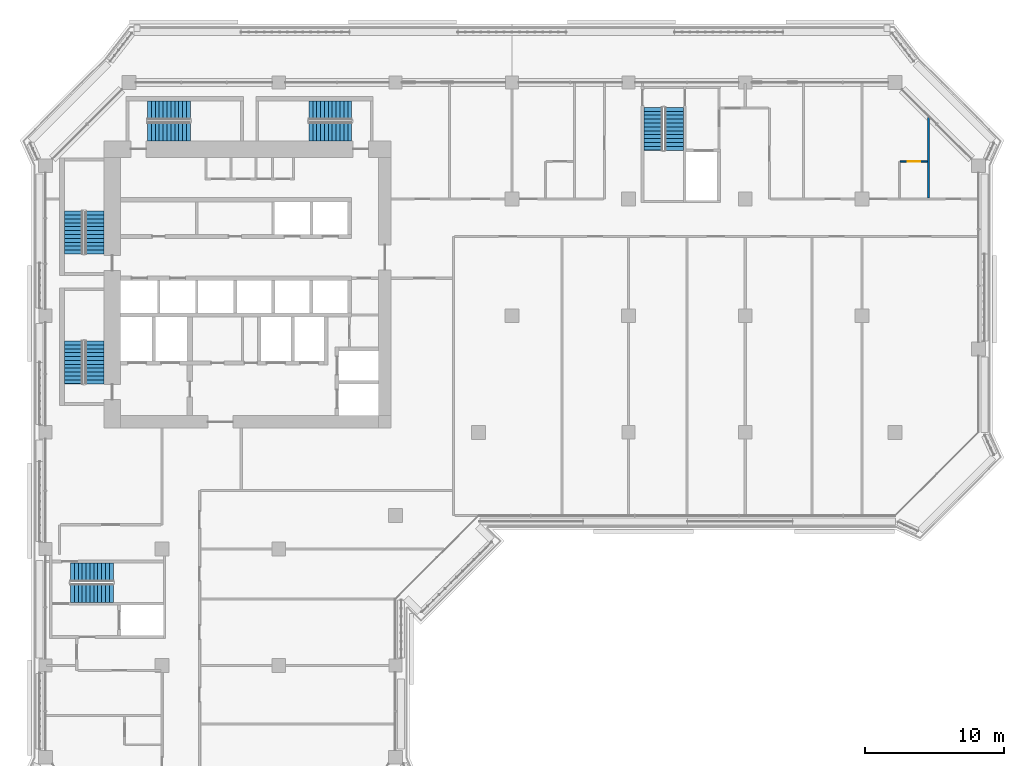
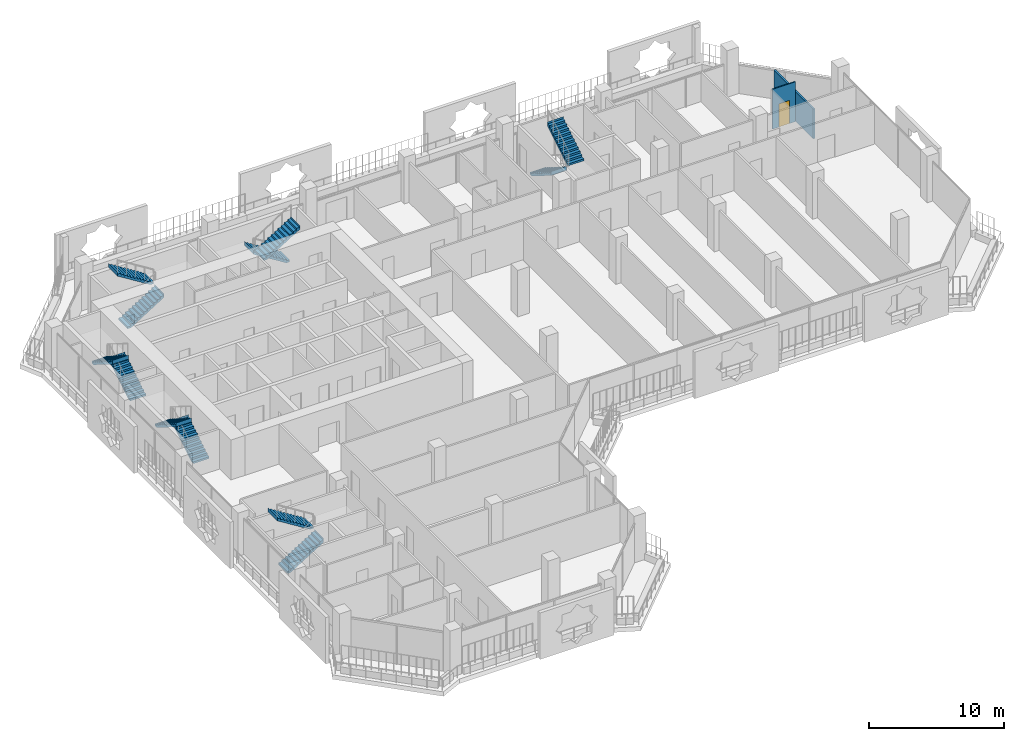
# One storey, part 14 of 21: 12 stair flights, 2 walls, 1 door, 1 opening, 6 elements without a shape of their own.
"""IFC4 building model written with IfcOpenShell, lengths in metres."""

from ifc_helpers import new_model, si_unit, direction, frame, frame_2d, origin, place, context, subcontext, project, spatial, polyline, rectangle, outline, extrude, material, layer, layer_set, type_object, element, fill, aggregate, save


model = new_model("IFC4")

# Units and contexts
model_context = context("Model", 3, precision=1e-05, world=origin(), true_north=direction((0.0, 1.0)))
body_context = subcontext(model_context, "Body", "Model", "MODEL_VIEW")
ifc_project = project(units=[si_unit("LENGTHUNIT", "METRE"), si_unit("AREAUNIT", "SQUARE_METRE"), si_unit("VOLUMEUNIT", "CUBIC_METRE"), si_unit("PLANEANGLEUNIT", "RADIAN"), si_unit("MASSUNIT", "GRAM", prefix="KILO")], contexts=[model_context])

# Site, building, storey
site_placement = place(None, origin())
site = spatial("IfcSite", under=ifc_project, at=site_placement, CompositionType="ELEMENT")
building_placement = place(site_placement, origin())
building = spatial("IfcBuilding", under=site, at=building_placement, Name="Kawkab Arch Medical Tower", CompositionType="ELEMENT")
storey_placement = place(building_placement, frame((0.0, 0.0, 200.39990234375)))
storey = spatial("IfcBuildingStorey", under=building, at=storey_placement, Name="L46", CompositionType="ELEMENT", Elevation=200.39990234375)

# Wall, opening, door
ifc_material_1 = material(Name="Gypsum board partition on steel studs", Category="steel")
ifc_layer_1 = layer(ifc_material_1, 0.10009765625)
ifc_layer_set_1 = layer_set([ifc_layer_1], Name="Gypsum board partition on steel studs")
wall_type_1 = type_object("IfcWallType", Name="Partition 100", PredefinedType="PARTITIONING", material=ifc_layer_set_1)
wall_1_placement = place(storey_placement, frame((61.550048828125, -5.699951171875, 0.0), z_axis=(0.0, 0.0, 1.0), x_axis=(1.0, 0.0, 0.0)))
wall_1 = element("IfcWall", 1, at=wall_1_placement, inside=storey, type_object=wall_type_1, Name="Partition 100 w003", PredefinedType="PARTITIONING", context=body_context, shape_type="SweptSolid", body=[
    extrude(rectangle(XDim=1.974853515625, YDim=0.10009765625, at=frame_2d((0.9873046875, 0.0))), origin(), (0.0, 0.0, 1.0), 3.60009765625),
])
opening_placement = place(wall_1_placement, frame((0.550048828125, 0.0, 0.0)))
opening = element("IfcOpeningElement", 2, at=opening_placement, cuts=wall_1, Name="Opening W41-005", PredefinedType="OPENING", context=body_context, shape_type="SweptSolid", body=[
    extrude(rectangle(XDim=0.89990234375, YDim=2.10009765625, at=frame_2d((0.449951171875, 1.050048828125))), frame((0.0, 0.06005859375, 0.0), z_axis=(0.0, -1.0, 0.0), x_axis=(1.0, 0.0, 0.0)), (0.0, 0.0, 1.0), 0.1201171875),
])
ifc_material_2 = material(Name="Timber door leaf", Category="wood")
door_type = type_object("IfcDoorType", Name="Single door 900x2100", OperationType="NOTDEFINED", PredefinedType="DOOR", material=ifc_material_2)
door_placement = place(opening_placement, origin())
door = element("IfcDoor", 3, at=door_placement, inside=storey, type_object=door_type, Name="Door W41-005", OperationType="SINGLE_SWING_LEFT", OverallHeight=2.10009765625, OverallWidth=0.89990234375, PredefinedType="DOOR", context=body_context, shape_type="SweptSolid", body=[
    extrude(rectangle(XDim=0.89990234375, YDim=2.10009765625, at=frame_2d((0.449951171875, 1.050048828125))), frame((0.0, 0.02490234375, 0.0), z_axis=(0.0, -1.0, 0.0), x_axis=(1.0, 0.0, 0.0)), (0.0, 0.0, 1.0), 0.050048828125),
])
fill(opening, door)

# Wall
ifc_material_3 = material(Name="Gypsum board partition on steel studs, mineral wool", Category="steel")
ifc_layer_2 = layer(ifc_material_3, 0.14990234375)
ifc_layer_set_2 = layer_set([ifc_layer_2], Name="Gypsum board partition on steel studs, mineral wool")
wall_type_2 = type_object("IfcWallType", Name="Partition 150", PredefinedType="PARTITIONING", material=ifc_layer_set_2)
wall_2_placement = place(storey_placement, frame((63.60009765625, -8.324951171875, 0.0), z_axis=(0.0, 0.0, 1.0), x_axis=(0.0, 1.0, 0.0)))
element("IfcWall", 4, at=wall_2_placement, inside=storey, type_object=wall_type_2, Name="Partition 150 w048", PredefinedType="PARTITIONING", context=body_context, shape_type="SweptSolid", body=[
    extrude(rectangle(XDim=5.81201171875, YDim=0.14990234375, at=frame_2d((2.906005859375, 0.0))), origin(), (0.0, 0.0, 1.0), 2.7001953125),
])

# Stair, stair flights
ifc_material_4 = material(Name="Concrete C40/50", Category="concrete")
stair_type = type_object("IfcStairType", Name="Exit stair 1350", PredefinedType="HALF_TURN_STAIR", material=ifc_material_4)
placement = place(storey_placement, origin())
stair_1 = element("IfcStair", 5, at=placement, inside=storey, type_object=stair_type, Name="L46 Exit stair ST1", PredefinedType="HALF_TURN_STAIR")
ifc_material_5 = material(Name="Concrete C40/50", Category="concrete")
stair_flight_type = type_object("IfcStairFlightType", Name="Exit stair flight 1350", PredefinedType="STRAIGHT", material=ifc_material_5)
stair_flight_1_placement = place(storey_placement, frame((3.52490234375, -12.35009765625, 0.0), z_axis=(0.0, 0.0, 1.0), x_axis=(0.0, 1.0, 0.0)))
stair_flight_1 = element("IfcStairFlight", 6, at=stair_flight_1_placement, type_object=stair_flight_type, Name="ST1 flight 1", NumberOfRisers=12, NumberOfTreads=11, PredefinedType="STRAIGHT", RiserHeight=0.175, TreadLength=0.28, context=body_context, shape_type="SweptSolid", body=[
    extrude(outline(polyline([(-0.0029296875, 0.0), (-0.0029296875, 0.175048828125), (0.0, 0.175048828125), (0.280029296875, 0.175048828125), (0.280029296875, 0.35009765625), (0.56005859375, 0.35009765625), (0.56005859375, 0.52490234375), (0.840087890625, 0.52490234375), (0.840087890625, 0.699951171875), (1.1201171875, 0.699951171875), (1.1201171875, 0.875), (1.39990234375, 0.875), (1.39990234375, 1.050048828125), (1.679931640625, 1.050048828125), (1.679931640625, 1.22509765625), (1.9599609375, 1.22509765625), (1.9599609375, 1.39990234375), (2.239990234375, 1.39990234375), (2.239990234375, 1.574951171875), (2.52001953125, 1.574951171875), (2.52001953125, 1.75), (2.800048828125, 1.75), (2.800048828125, 1.925048828125), (3.080078125, 1.925048828125), (3.080078125, 2.10009765625), (3.0830078125, 2.10009765625), (3.0830078125, 1.748291015625), (3.080078125, 1.748291015625), (0.28271484375, 0.0), (-0.0029296875, 0.0)])), frame((0.0, 0.675048828125, 0.0), z_axis=(0.0, -1.0, 0.0), x_axis=(1.0, 0.0, 0.0)), (0.0, 0.0, 1.0), 1.35009765625),
])
stair_flight_2_placement = place(storey_placement, frame((2.02490234375, -9.27001953125, 2.10009765625), z_axis=(0.0, 0.0, 1.0), x_axis=(0.0, -1.0, 0.0)))
stair_flight_2 = element("IfcStairFlight", 7, at=stair_flight_2_placement, type_object=stair_flight_type, Name="ST1 flight 2", NumberOfRisers=12, NumberOfTreads=11, PredefinedType="STRAIGHT", RiserHeight=0.175, TreadLength=0.28, context=body_context, shape_type="SweptSolid", body=[
    extrude(outline(polyline([(-0.0029296875, 0.0), (-0.0029296875, 0.175048828125), (0.0, 0.175048828125), (0.280029296875, 0.175048828125), (0.280029296875, 0.35009765625), (0.56005859375, 0.35009765625), (0.56005859375, 0.52490234375), (0.840087890625, 0.52490234375), (0.840087890625, 0.699951171875), (1.1201171875, 0.699951171875), (1.1201171875, 0.875), (1.39990234375, 0.875), (1.39990234375, 1.050048828125), (1.679931640625, 1.050048828125), (1.679931640625, 1.22509765625), (1.9599609375, 1.22509765625), (1.9599609375, 1.39990234375), (2.239990234375, 1.39990234375), (2.239990234375, 1.574951171875), (2.52001953125, 1.574951171875), (2.52001953125, 1.75), (2.800048828125, 1.75), (2.800048828125, 1.925048828125), (3.080078125, 1.925048828125), (3.080078125, 2.10009765625), (3.0830078125, 2.10009765625), (3.0830078125, 1.748291015625), (3.080078125, 1.748291015625), (0.28271484375, 0.0), (-0.0029296875, 0.0)])), frame((0.0, 0.675048828125, 0.0), z_axis=(0.0, -1.0, 0.0), x_axis=(1.0, 0.0, 0.0)), (0.0, 0.0, 1.0), 1.35009765625),
])
aggregate(stair_1, [stair_flight_1, stair_flight_2])

stair_2 = element("IfcStair", 8, at=placement, inside=storey, type_object=stair_type, Name="L46 Exit stair ST2", PredefinedType="HALF_TURN_STAIR")
stair_flight_3_placement = place(storey_placement, frame((3.52490234375, -21.699951171875, 0.0), z_axis=(0.0, 0.0, 1.0), x_axis=(0.0, 1.0, 0.0)))
stair_flight_3 = element("IfcStairFlight", 9, at=stair_flight_3_placement, type_object=stair_flight_type, Name="ST2 flight 1", NumberOfRisers=12, NumberOfTreads=11, PredefinedType="STRAIGHT", RiserHeight=0.175, TreadLength=0.28, context=body_context, shape_type="SweptSolid", body=[
    extrude(outline(polyline([(-0.0029296875, 0.0), (-0.0029296875, 0.175048828125), (0.0, 0.175048828125), (0.280029296875, 0.175048828125), (0.280029296875, 0.35009765625), (0.56005859375, 0.35009765625), (0.56005859375, 0.52490234375), (0.840087890625, 0.52490234375), (0.840087890625, 0.699951171875), (1.1201171875, 0.699951171875), (1.1201171875, 0.875), (1.39990234375, 0.875), (1.39990234375, 1.050048828125), (1.679931640625, 1.050048828125), (1.679931640625, 1.22509765625), (1.9599609375, 1.22509765625), (1.9599609375, 1.39990234375), (2.239990234375, 1.39990234375), (2.239990234375, 1.574951171875), (2.52001953125, 1.574951171875), (2.52001953125, 1.75), (2.800048828125, 1.75), (2.800048828125, 1.925048828125), (3.080078125, 1.925048828125), (3.080078125, 2.10009765625), (3.0830078125, 2.10009765625), (3.0830078125, 1.748291015625), (3.080078125, 1.748291015625), (0.28271484375, 0.0), (-0.0029296875, 0.0)])), frame((0.0, 0.675048828125, 0.0), z_axis=(0.0, -1.0, 0.0), x_axis=(1.0, 0.0, 0.0)), (0.0, 0.0, 1.0), 1.35009765625),
])
stair_flight_4_placement = place(storey_placement, frame((2.02490234375, -18.6201171875, 2.10009765625), z_axis=(0.0, 0.0, 1.0), x_axis=(0.0, -1.0, 0.0)))
stair_flight_4 = element("IfcStairFlight", 10, at=stair_flight_4_placement, type_object=stair_flight_type, Name="ST2 flight 2", NumberOfRisers=12, NumberOfTreads=11, PredefinedType="STRAIGHT", RiserHeight=0.175, TreadLength=0.28, context=body_context, shape_type="SweptSolid", body=[
    extrude(outline(polyline([(-0.0029296875, 0.0), (-0.0029296875, 0.175048828125), (0.0, 0.175048828125), (0.280029296875, 0.175048828125), (0.280029296875, 0.35009765625), (0.56005859375, 0.35009765625), (0.56005859375, 0.52490234375), (0.840087890625, 0.52490234375), (0.840087890625, 0.699951171875), (1.1201171875, 0.699951171875), (1.1201171875, 0.875), (1.39990234375, 0.875), (1.39990234375, 1.050048828125), (1.679931640625, 1.050048828125), (1.679931640625, 1.22509765625), (1.9599609375, 1.22509765625), (1.9599609375, 1.39990234375), (2.239990234375, 1.39990234375), (2.239990234375, 1.574951171875), (2.52001953125, 1.574951171875), (2.52001953125, 1.75), (2.800048828125, 1.75), (2.800048828125, 1.925048828125), (3.080078125, 1.925048828125), (3.080078125, 2.10009765625), (3.0830078125, 2.10009765625), (3.0830078125, 1.748291015625), (3.080078125, 1.748291015625), (0.28271484375, 0.0), (-0.0029296875, 0.0)])), frame((0.0, 0.675048828125, 0.0), z_axis=(0.0, -1.0, 0.0), x_axis=(1.0, 0.0, 0.0)), (0.0, 0.0, 1.0), 1.35009765625),
])
aggregate(stair_2, [stair_flight_3, stair_flight_4])

stair_3 = element("IfcStair", 11, at=placement, inside=storey, type_object=stair_type, Name="L46 Exit stair ST3", PredefinedType="HALF_TURN_STAIR")
stair_flight_5_placement = place(storey_placement, frame((7.35009765625, -3.52490234375, 0.0), z_axis=(0.0, 0.0, 1.0), x_axis=(1.0, 0.0, 0.0)))
stair_flight_5 = element("IfcStairFlight", 12, at=stair_flight_5_placement, type_object=stair_flight_type, Name="ST3 flight 1", NumberOfRisers=12, NumberOfTreads=11, PredefinedType="STRAIGHT", RiserHeight=0.175, TreadLength=0.28, context=body_context, shape_type="SweptSolid", body=[
    extrude(outline(polyline([(-0.0029296875, 0.0), (-0.0029296875, 0.175048828125), (0.0, 0.175048828125), (0.280029296875, 0.175048828125), (0.280029296875, 0.35009765625), (0.56005859375, 0.35009765625), (0.56005859375, 0.52490234375), (0.840087890625, 0.52490234375), (0.840087890625, 0.699951171875), (1.1201171875, 0.699951171875), (1.1201171875, 0.875), (1.39990234375, 0.875), (1.39990234375, 1.050048828125), (1.679931640625, 1.050048828125), (1.679931640625, 1.22509765625), (1.9599609375, 1.22509765625), (1.9599609375, 1.39990234375), (2.239990234375, 1.39990234375), (2.239990234375, 1.574951171875), (2.52001953125, 1.574951171875), (2.52001953125, 1.75), (2.800048828125, 1.75), (2.800048828125, 1.925048828125), (3.080078125, 1.925048828125), (3.080078125, 2.10009765625), (3.0830078125, 2.10009765625), (3.0830078125, 1.748291015625), (3.080078125, 1.748291015625), (0.28271484375, 0.0), (-0.0029296875, 0.0)])), frame((0.0, 0.675048828125, 0.0), z_axis=(0.0, -1.0, 0.0), x_axis=(1.0, 0.0, 0.0)), (0.0, 0.0, 1.0), 1.35009765625),
])
stair_flight_6_placement = place(storey_placement, frame((10.429931640625, -2.02490234375, 2.10009765625), z_axis=(0.0, 0.0, 1.0), x_axis=(-1.0, 0.0, 0.0)))
stair_flight_6 = element("IfcStairFlight", 13, at=stair_flight_6_placement, type_object=stair_flight_type, Name="ST3 flight 2", NumberOfRisers=12, NumberOfTreads=11, PredefinedType="STRAIGHT", RiserHeight=0.175, TreadLength=0.28, context=body_context, shape_type="SweptSolid", body=[
    extrude(outline(polyline([(-0.0029296875, 0.0), (-0.0029296875, 0.175048828125), (0.0, 0.175048828125), (0.280029296875, 0.175048828125), (0.280029296875, 0.35009765625), (0.56005859375, 0.35009765625), (0.56005859375, 0.52490234375), (0.840087890625, 0.52490234375), (0.840087890625, 0.699951171875), (1.1201171875, 0.699951171875), (1.1201171875, 0.875), (1.39990234375, 0.875), (1.39990234375, 1.050048828125), (1.679931640625, 1.050048828125), (1.679931640625, 1.22509765625), (1.9599609375, 1.22509765625), (1.9599609375, 1.39990234375), (2.239990234375, 1.39990234375), (2.239990234375, 1.574951171875), (2.52001953125, 1.574951171875), (2.52001953125, 1.75), (2.800048828125, 1.75), (2.800048828125, 1.925048828125), (3.080078125, 1.925048828125), (3.080078125, 2.10009765625), (3.0830078125, 2.10009765625), (3.0830078125, 1.748291015625), (3.080078125, 1.748291015625), (0.28271484375, 0.0), (-0.0029296875, 0.0)])), frame((0.0, 0.675048828125, 0.0), z_axis=(0.0, -1.0, 0.0), x_axis=(1.0, 0.0, 0.0)), (0.0, 0.0, 1.0), 1.35009765625),
])
aggregate(stair_3, [stair_flight_5, stair_flight_6])

stair_4 = element("IfcStair", 14, at=placement, inside=storey, type_object=stair_type, Name="L46 Exit stair ST4", PredefinedType="HALF_TURN_STAIR")
stair_flight_7_placement = place(storey_placement, frame((22.050048828125, -2.02490234375, 0.0), z_axis=(0.0, 0.0, 1.0), x_axis=(-1.0, 0.0, 0.0)))
stair_flight_7 = element("IfcStairFlight", 15, at=stair_flight_7_placement, type_object=stair_flight_type, Name="ST4 flight 1", NumberOfRisers=12, NumberOfTreads=11, PredefinedType="STRAIGHT", RiserHeight=0.175, TreadLength=0.28, context=body_context, shape_type="SweptSolid", body=[
    extrude(outline(polyline([(-0.0029296875, 0.0), (-0.0029296875, 0.175048828125), (0.0, 0.175048828125), (0.280029296875, 0.175048828125), (0.280029296875, 0.35009765625), (0.56005859375, 0.35009765625), (0.56005859375, 0.52490234375), (0.840087890625, 0.52490234375), (0.840087890625, 0.699951171875), (1.1201171875, 0.699951171875), (1.1201171875, 0.875), (1.39990234375, 0.875), (1.39990234375, 1.050048828125), (1.679931640625, 1.050048828125), (1.679931640625, 1.22509765625), (1.9599609375, 1.22509765625), (1.9599609375, 1.39990234375), (2.239990234375, 1.39990234375), (2.239990234375, 1.574951171875), (2.52001953125, 1.574951171875), (2.52001953125, 1.75), (2.800048828125, 1.75), (2.800048828125, 1.925048828125), (3.080078125, 1.925048828125), (3.080078125, 2.10009765625), (3.0830078125, 2.10009765625), (3.0830078125, 1.748291015625), (3.080078125, 1.748291015625), (0.28271484375, 0.0), (-0.0029296875, 0.0)])), frame((0.0, 0.675048828125, 0.0), z_axis=(0.0, -1.0, 0.0), x_axis=(1.0, 0.0, 0.0)), (0.0, 0.0, 1.0), 1.35009765625),
])
stair_flight_8_placement = place(storey_placement, frame((18.969970703125, -3.52490234375, 2.10009765625), z_axis=(0.0, 0.0, 1.0), x_axis=(1.0, 0.0, 0.0)))
stair_flight_8 = element("IfcStairFlight", 16, at=stair_flight_8_placement, type_object=stair_flight_type, Name="ST4 flight 2", NumberOfRisers=12, NumberOfTreads=11, PredefinedType="STRAIGHT", RiserHeight=0.175, TreadLength=0.28, context=body_context, shape_type="SweptSolid", body=[
    extrude(outline(polyline([(-0.0029296875, 0.0), (-0.0029296875, 0.175048828125), (0.0, 0.175048828125), (0.280029296875, 0.175048828125), (0.280029296875, 0.35009765625), (0.56005859375, 0.35009765625), (0.56005859375, 0.52490234375), (0.840087890625, 0.52490234375), (0.840087890625, 0.699951171875), (1.1201171875, 0.699951171875), (1.1201171875, 0.875), (1.39990234375, 0.875), (1.39990234375, 1.050048828125), (1.679931640625, 1.050048828125), (1.679931640625, 1.22509765625), (1.9599609375, 1.22509765625), (1.9599609375, 1.39990234375), (2.239990234375, 1.39990234375), (2.239990234375, 1.574951171875), (2.52001953125, 1.574951171875), (2.52001953125, 1.75), (2.800048828125, 1.75), (2.800048828125, 1.925048828125), (3.080078125, 1.925048828125), (3.080078125, 2.10009765625), (3.0830078125, 2.10009765625), (3.0830078125, 1.748291015625), (3.080078125, 1.748291015625), (0.28271484375, 0.0), (-0.0029296875, 0.0)])), frame((0.0, 0.675048828125, 0.0), z_axis=(0.0, -1.0, 0.0), x_axis=(1.0, 0.0, 0.0)), (0.0, 0.0, 1.0), 1.35009765625),
])
aggregate(stair_4, [stair_flight_7, stair_flight_8])

stair_5 = element("IfcStair", 17, at=placement, inside=storey, type_object=stair_type, Name="L46 Exit stair ST5", PredefinedType="HALF_TURN_STAIR")
stair_flight_9_placement = place(storey_placement, frame((43.77490234375, -1.800048828125, 0.0), z_axis=(0.0, 0.0, 1.0), x_axis=(0.0, -1.0, 0.0)))
stair_flight_9 = element("IfcStairFlight", 18, at=stair_flight_9_placement, type_object=stair_flight_type, Name="ST5 flight 1", NumberOfRisers=12, NumberOfTreads=11, PredefinedType="STRAIGHT", RiserHeight=0.175, TreadLength=0.28, context=body_context, shape_type="SweptSolid", body=[
    extrude(outline(polyline([(-0.0029296875, 0.0), (-0.0029296875, 0.175048828125), (0.0, 0.175048828125), (0.280029296875, 0.175048828125), (0.280029296875, 0.35009765625), (0.56005859375, 0.35009765625), (0.56005859375, 0.52490234375), (0.840087890625, 0.52490234375), (0.840087890625, 0.699951171875), (1.1201171875, 0.699951171875), (1.1201171875, 0.875), (1.39990234375, 0.875), (1.39990234375, 1.050048828125), (1.679931640625, 1.050048828125), (1.679931640625, 1.22509765625), (1.9599609375, 1.22509765625), (1.9599609375, 1.39990234375), (2.239990234375, 1.39990234375), (2.239990234375, 1.574951171875), (2.52001953125, 1.574951171875), (2.52001953125, 1.75), (2.800048828125, 1.75), (2.800048828125, 1.925048828125), (3.080078125, 1.925048828125), (3.080078125, 2.10009765625), (3.0830078125, 2.10009765625), (3.0830078125, 1.748291015625), (3.080078125, 1.748291015625), (0.28271484375, 0.0), (-0.0029296875, 0.0)])), frame((0.0, 0.675048828125, 0.0), z_axis=(0.0, -1.0, 0.0), x_axis=(1.0, 0.0, 0.0)), (0.0, 0.0, 1.0), 1.35009765625),
])
stair_flight_10_placement = place(storey_placement, frame((45.27490234375, -4.8798828125, 2.10009765625), z_axis=(0.0, 0.0, 1.0), x_axis=(0.0, 1.0, 0.0)))
stair_flight_10 = element("IfcStairFlight", 19, at=stair_flight_10_placement, type_object=stair_flight_type, Name="ST5 flight 2", NumberOfRisers=12, NumberOfTreads=11, PredefinedType="STRAIGHT", RiserHeight=0.175, TreadLength=0.28, context=body_context, shape_type="SweptSolid", body=[
    extrude(outline(polyline([(-0.0029296875, 0.0), (-0.0029296875, 0.175048828125), (0.0, 0.175048828125), (0.280029296875, 0.175048828125), (0.280029296875, 0.35009765625), (0.56005859375, 0.35009765625), (0.56005859375, 0.52490234375), (0.840087890625, 0.52490234375), (0.840087890625, 0.699951171875), (1.1201171875, 0.699951171875), (1.1201171875, 0.875), (1.39990234375, 0.875), (1.39990234375, 1.050048828125), (1.679931640625, 1.050048828125), (1.679931640625, 1.22509765625), (1.9599609375, 1.22509765625), (1.9599609375, 1.39990234375), (2.239990234375, 1.39990234375), (2.239990234375, 1.574951171875), (2.52001953125, 1.574951171875), (2.52001953125, 1.75), (2.800048828125, 1.75), (2.800048828125, 1.925048828125), (3.080078125, 1.925048828125), (3.080078125, 2.10009765625), (3.0830078125, 2.10009765625), (3.0830078125, 1.748291015625), (3.080078125, 1.748291015625), (0.28271484375, 0.0), (-0.0029296875, 0.0)])), frame((0.0, 0.675048828125, 0.0), z_axis=(0.0, -1.0, 0.0), x_axis=(1.0, 0.0, 0.0)), (0.0, 0.0, 1.0), 1.35009765625),
])
aggregate(stair_5, [stair_flight_9, stair_flight_10])

stair_6 = element("IfcStair", 20, at=placement, inside=storey, type_object=stair_type, Name="L46 Exit stair ST6", PredefinedType="HALF_TURN_STAIR")
stair_flight_11_placement = place(storey_placement, frame((1.800048828125, -36.77490234375, 0.0), z_axis=(0.0, 0.0, 1.0), x_axis=(1.0, 0.0, 0.0)))
stair_flight_11 = element("IfcStairFlight", 21, at=stair_flight_11_placement, type_object=stair_flight_type, Name="ST6 flight 1", NumberOfRisers=12, NumberOfTreads=11, PredefinedType="STRAIGHT", RiserHeight=0.175, TreadLength=0.28, context=body_context, shape_type="SweptSolid", body=[
    extrude(outline(polyline([(-0.0029296875, 0.0), (-0.0029296875, 0.175048828125), (0.0, 0.175048828125), (0.280029296875, 0.175048828125), (0.280029296875, 0.35009765625), (0.56005859375, 0.35009765625), (0.56005859375, 0.52490234375), (0.840087890625, 0.52490234375), (0.840087890625, 0.699951171875), (1.1201171875, 0.699951171875), (1.1201171875, 0.875), (1.39990234375, 0.875), (1.39990234375, 1.050048828125), (1.679931640625, 1.050048828125), (1.679931640625, 1.22509765625), (1.9599609375, 1.22509765625), (1.9599609375, 1.39990234375), (2.239990234375, 1.39990234375), (2.239990234375, 1.574951171875), (2.52001953125, 1.574951171875), (2.52001953125, 1.75), (2.800048828125, 1.75), (2.800048828125, 1.925048828125), (3.080078125, 1.925048828125), (3.080078125, 2.10009765625), (3.0830078125, 2.10009765625), (3.0830078125, 1.748291015625), (3.080078125, 1.748291015625), (0.28271484375, 0.0), (-0.0029296875, 0.0)])), frame((0.0, 0.675048828125, 0.0), z_axis=(0.0, -1.0, 0.0), x_axis=(1.0, 0.0, 0.0)), (0.0, 0.0, 1.0), 1.35009765625),
])
stair_flight_12_placement = place(storey_placement, frame((4.8798828125, -35.27490234375, 2.10009765625), z_axis=(0.0, 0.0, 1.0), x_axis=(-1.0, 0.0, 0.0)))
stair_flight_12 = element("IfcStairFlight", 22, at=stair_flight_12_placement, type_object=stair_flight_type, Name="ST6 flight 2", NumberOfRisers=12, NumberOfTreads=11, PredefinedType="STRAIGHT", RiserHeight=0.175, TreadLength=0.28, context=body_context, shape_type="SweptSolid", body=[
    extrude(outline(polyline([(-0.0029296875, 0.0), (-0.0029296875, 0.175048828125), (0.0, 0.175048828125), (0.280029296875, 0.175048828125), (0.280029296875, 0.35009765625), (0.56005859375, 0.35009765625), (0.56005859375, 0.52490234375), (0.840087890625, 0.52490234375), (0.840087890625, 0.699951171875), (1.1201171875, 0.699951171875), (1.1201171875, 0.875), (1.39990234375, 0.875), (1.39990234375, 1.050048828125), (1.679931640625, 1.050048828125), (1.679931640625, 1.22509765625), (1.9599609375, 1.22509765625), (1.9599609375, 1.39990234375), (2.239990234375, 1.39990234375), (2.239990234375, 1.574951171875), (2.52001953125, 1.574951171875), (2.52001953125, 1.75), (2.800048828125, 1.75), (2.800048828125, 1.925048828125), (3.080078125, 1.925048828125), (3.080078125, 2.10009765625), (3.0830078125, 2.10009765625), (3.0830078125, 1.748291015625), (3.080078125, 1.748291015625), (0.28271484375, 0.0), (-0.0029296875, 0.0)])), frame((0.0, 0.675048828125, 0.0), z_axis=(0.0, -1.0, 0.0), x_axis=(1.0, 0.0, 0.0)), (0.0, 0.0, 1.0), 1.35009765625),
])
aggregate(stair_6, [stair_flight_11, stair_flight_12])

save(model, "model.ifc")
